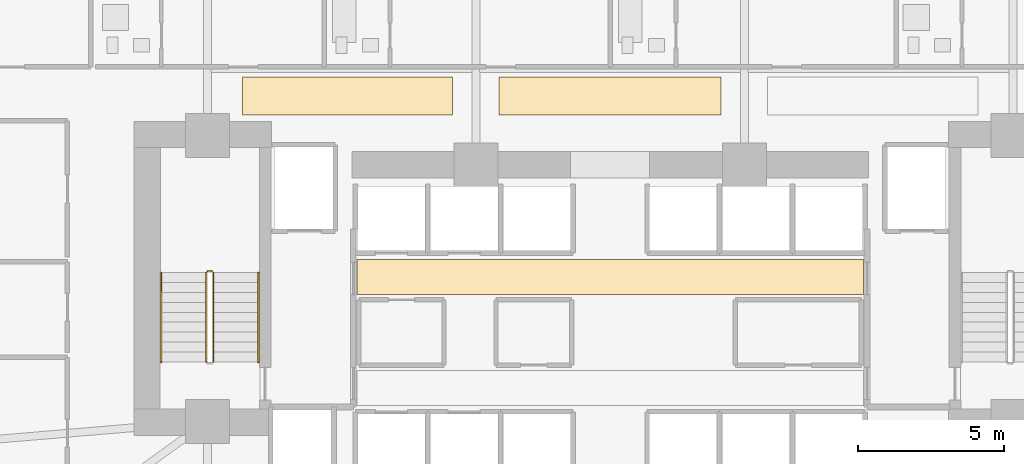
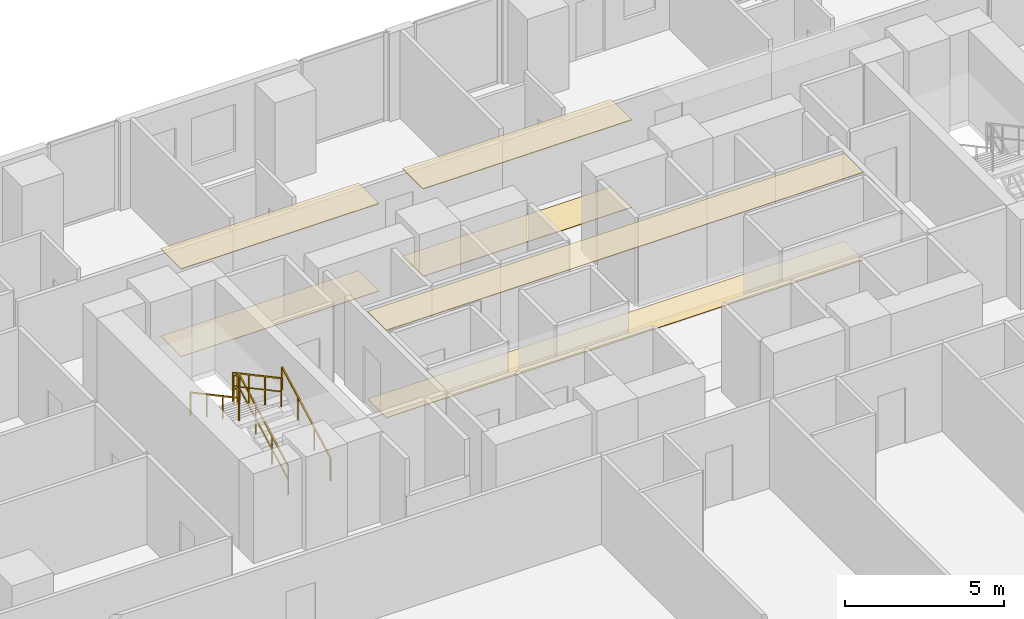
# One storey, part 27 of 30: 6 coverings, 5 railings.
"""IFC4 building model written with IfcOpenShell, lengths in metres."""

from ifc_helpers import new_model, si_unit, direction, frame, origin, origin_2d, place, context, subcontext, project, spatial, polyline, rectangle, outline, extrude, material, layer, layer_set, type_object, element, save


model = new_model("IFC4")

# Units and contexts
model_context = context("Model", 3, precision=1e-05, world=origin(), true_north=direction((0.0, 1.0)))
body_context = subcontext(model_context, "Body", "Model", "MODEL_VIEW")
ifc_project = project(units=[si_unit("LENGTHUNIT", "METRE"), si_unit("AREAUNIT", "SQUARE_METRE"), si_unit("VOLUMEUNIT", "CUBIC_METRE"), si_unit("PLANEANGLEUNIT", "RADIAN"), si_unit("MASSUNIT", "GRAM", prefix="KILO")], contexts=[model_context])

# Site, building, storey
site_placement = place(None, origin())
site = spatial("IfcSite", under=ifc_project, at=site_placement, CompositionType="ELEMENT")
building_placement = place(site_placement, origin())
building = spatial("IfcBuilding", under=site, at=building_placement, Name="Zuhayl Quay Hotel", CompositionType="ELEMENT")
storey_placement = place(building_placement, frame((0.0, 0.0, 86.0)))
storey = spatial("IfcBuildingStorey", under=building, at=storey_placement, Name="L21", CompositionType="ELEMENT", Elevation=86.0)

# Coverings
ifc_material_1 = material(Name="Acoustic Mineral-Fibre Gypsum Board")
ifc_layer_1 = layer(ifc_material_1, 0.02490234375, Name="Acoustic Mineral-Fibre Gypsum Board")
ifc_layer_set_1 = layer_set([ifc_layer_1], Name="Acoustic Mineral-Fibre Gypsum Board")
covering_type_1 = type_object("IfcCoveringType", Name="CV_CEIL_ACOUSTIC", PredefinedType="CEILING", material=ifc_layer_set_1)
covering_1_placement = place(storey_placement, frame((0.0, 0.0, 3.364990234375)))
element("IfcCovering", 1, at=covering_1_placement, inside=storey, type_object=covering_type_1, Name="L21 Suspended Acoustic Lobby Ceiling N", PredefinedType="CEILING", context=body_context, shape_type="SweptSolid", body=[
    extrude(outline(polyline([(-8.679931640625, 8.89990234375), (8.679931640625, 8.89990234375), (8.679931640625, 10.10009765625), (-8.679931640625, 10.10009765625), (-8.679931640625, 8.89990234375)])), origin(), (0.0, 0.0, 1.0), 0.02490234375),
])
covering_2_placement = place(storey_placement, frame((0.0, 0.0, 3.364990234375)))
element("IfcCovering", 2, at=covering_2_placement, inside=storey, type_object=covering_type_1, Name="L21 Guest Corridor Acoustic Ceiling CW", PredefinedType="CEILING", context=body_context, shape_type="SweptSolid", body=[
    extrude(outline(polyline([(-12.60009765625, 15.050048828125), (-5.39990234375, 15.050048828125), (-5.39990234375, 16.35009765625), (-12.60009765625, 16.35009765625), (-12.60009765625, 15.050048828125)])), origin(), (0.0, 0.0, 1.0), 0.02490234375),
])
covering_3_placement = place(storey_placement, frame((0.0, 0.0, 3.364990234375)))
element("IfcCovering", 3, at=covering_3_placement, inside=storey, type_object=covering_type_1, Name="L21 Guest Corridor Acoustic Ceiling CC", PredefinedType="CEILING", context=body_context, shape_type="SweptSolid", body=[
    extrude(outline(polyline([(-3.800048828125, 15.050048828125), (3.800048828125, 15.050048828125), (3.800048828125, 16.35009765625), (-3.800048828125, 16.35009765625), (-3.800048828125, 15.050048828125)])), origin(), (0.0, 0.0, 1.0), 0.02490234375),
])
ifc_material_2 = material(Name="Polished Limestone Terrazzo", Category="masonry")
ifc_layer_2 = layer(ifc_material_2, 0.02001953125, Name="Polished Limestone Terrazzo", Category="masonry")
ifc_layer_set_2 = layer_set([ifc_layer_2], Name="Polished Limestone Terrazzo")
covering_type_2 = type_object("IfcCoveringType", Name="CV_FLOOR_TERRAZZO", PredefinedType="FLOORING", material=ifc_layer_set_2)
covering_4_placement = place(storey_placement, origin())
element("IfcCovering", 4, at=covering_4_placement, inside=storey, type_object=covering_type_2, Name="L21 Honed Limestone Terrazzo Lobby Flooring N", PredefinedType="FLOORING", context=body_context, shape_type="SweptSolid", body=[
    extrude(outline(polyline([(-8.679931640625, 8.89990234375), (8.679931640625, 8.89990234375), (8.679931640625, 10.10009765625), (-8.679931640625, 10.10009765625), (-8.679931640625, 8.89990234375)])), origin(), (0.0, 0.0, 1.0), 0.02001953125),
])
covering_5_placement = place(storey_placement, origin())
element("IfcCovering", 5, at=covering_5_placement, inside=storey, type_object=covering_type_2, Name="L21 Guest Corridor Terrazzo Runner CW", PredefinedType="FLOORING", context=body_context, shape_type="SweptSolid", body=[
    extrude(outline(polyline([(-12.60009765625, 15.050048828125), (-5.39990234375, 15.050048828125), (-5.39990234375, 16.35009765625), (-12.60009765625, 16.35009765625), (-12.60009765625, 15.050048828125)])), origin(), (0.0, 0.0, 1.0), 0.02001953125),
])
covering_6_placement = place(storey_placement, origin())
element("IfcCovering", 6, at=covering_6_placement, inside=storey, type_object=covering_type_2, Name="L21 Guest Corridor Terrazzo Runner CC", PredefinedType="FLOORING", context=body_context, shape_type="SweptSolid", body=[
    extrude(outline(polyline([(-3.800048828125, 15.050048828125), (3.800048828125, 15.050048828125), (3.800048828125, 16.35009765625), (-3.800048828125, 16.35009765625), (-3.800048828125, 15.050048828125)])), origin(), (0.0, 0.0, 1.0), 0.02001953125),
])

# Railings
ifc_material_3 = material(Name="Steel ASTM A992 Grade 50", Category="steel")
railing_type_1 = type_object("IfcRailingType", Name="RL_GUARD_1100", PredefinedType="GUARDRAIL", material=ifc_material_3)
railing_1_placement = place(storey_placement, frame((-13.590087890625, 6.590087890625, 0.1826171875)))
element("IfcRailing", 7, at=railing_1_placement, inside=storey, type_object=railing_type_1, Name="L21 ST1 stair guard 1", PredefinedType="GUARDRAIL", context=body_context, shape_type="SweptSolid", body=[
    extrude(rectangle(XDim=0.048095703125, YDim=0.048095703125, at=origin_2d()), frame((0.0, 0.0, 1.09619140625), z_axis=(0.0, 0.881102395774, 0.472925541879), x_axis=(-1.0, 0.0, 0.0)), (0.0, 0.0, 1.0), 3.47265625),
    extrude(rectangle(XDim=0.0361328125, YDim=0.0361328125, at=origin_2d()), frame((0.0, 0.0, 0.58251953125), z_axis=(0.0, 0.881102395774, 0.472925541879), x_axis=(-1.0, 0.0, 0.0)), (0.0, 0.0, 1.0), 3.47265625),
    extrude(rectangle(XDim=0.0419921875, YDim=0.0419921875, at=origin_2d()), origin(), (0.0, 0.0, 1.0), 1.072021484375),
    extrude(rectangle(XDim=0.0419921875, YDim=0.0419921875, at=origin_2d()), frame((0.0, 1.02001953125, 0.54736328125)), (0.0, 0.0, 1.0), 1.072021484375),
    extrude(rectangle(XDim=0.0419921875, YDim=0.0419921875, at=origin_2d()), frame((0.0, 2.039794921875, 1.094970703125)), (0.0, 0.0, 1.0), 1.072021484375),
    extrude(rectangle(XDim=0.0419921875, YDim=0.0419921875, at=origin_2d()), frame((0.0, 3.059814453125, 1.642333984375)), (0.0, 0.0, 1.0), 1.072021484375),
])
railing_2_placement = place(storey_placement, frame((-13.639892578125, 9.699951171875, 1.824951171875)))
element("IfcRailing", 8, at=railing_2_placement, inside=storey, type_object=railing_type_1, Name="L21 ST1 stair guard 2", PredefinedType="GUARDRAIL", context=body_context, shape_type="SweptSolid", body=[
    extrude(rectangle(XDim=0.048095703125, YDim=0.048095703125, at=origin_2d()), frame((0.0, 0.0, 1.09619140625), z_axis=(-1.0, 0.0, 0.0), x_axis=(0.0, -1.0, 0.0)), (0.0, 0.0, 1.0), 0.150146484375),
    extrude(rectangle(XDim=0.0361328125, YDim=0.0361328125, at=origin_2d()), frame((0.0, 0.0, 0.58251953125), z_axis=(-1.0, 0.0, 0.0), x_axis=(0.0, -1.0, 0.0)), (0.0, 0.0, 1.0), 0.150146484375),
    extrude(rectangle(XDim=0.0419921875, YDim=0.0419921875, at=origin_2d()), origin(), (0.0, 0.0, 1.0), 1.072021484375),
    extrude(rectangle(XDim=0.0419921875, YDim=0.0419921875, at=origin_2d()), frame((-0.150146484375, 0.0, 0.0)), (0.0, 0.0, 1.0), 1.072021484375),
])
railing_3_placement = place(storey_placement, frame((-13.840087890625, 9.64990234375, 2.007568359375)))
element("IfcRailing", 9, at=railing_3_placement, inside=storey, type_object=railing_type_1, Name="L21 ST1 stair guard 3", PredefinedType="GUARDRAIL", context=body_context, shape_type="SweptSolid", body=[
    extrude(rectangle(XDim=0.048095703125, YDim=0.048095703125, at=origin_2d()), frame((0.0, 0.0, 1.09619140625), z_axis=(0.0, -0.881102395774, 0.472925541879), x_axis=(1.0, 0.0, 0.0)), (0.0, 0.0, 1.0), 3.47265625),
    extrude(rectangle(XDim=0.0361328125, YDim=0.0361328125, at=origin_2d()), frame((0.0, 0.0, 0.58251953125), z_axis=(0.0, -0.881102395774, 0.472925541879), x_axis=(1.0, 0.0, 0.0)), (0.0, 0.0, 1.0), 3.47265625),
    extrude(rectangle(XDim=0.0419921875, YDim=0.0419921875, at=origin_2d()), origin(), (0.0, 0.0, 1.0), 1.072021484375),
    extrude(rectangle(XDim=0.0419921875, YDim=0.0419921875, at=origin_2d()), frame((0.0, -1.02001953125, 0.54736328125)), (0.0, 0.0, 1.0), 1.072021484375),
    extrude(rectangle(XDim=0.0419921875, YDim=0.0419921875, at=origin_2d()), frame((0.0, -2.039794921875, 1.094970703125)), (0.0, 0.0, 1.0), 1.072021484375),
    extrude(rectangle(XDim=0.0419921875, YDim=0.0419921875, at=origin_2d()), frame((0.0, -3.059814453125, 1.642333984375)), (0.0, 0.0, 1.0), 1.072021484375),
])
railing_type_2 = type_object("IfcRailingType", Name="RL_HANDRAIL_920", PredefinedType="HANDRAIL", material=ifc_material_3)
railing_4_placement = place(storey_placement, frame((-12.050048828125, 6.590087890625, 0.1826171875)))
element("IfcRailing", 10, at=railing_4_placement, inside=storey, type_object=railing_type_2, Name="L21 ST1 stair handrail 1", PredefinedType="HANDRAIL", context=body_context, shape_type="SweptSolid", body=[
    extrude(rectangle(XDim=0.048095703125, YDim=0.048095703125, at=origin_2d()), frame((0.0, 0.0, 0.8759765625), z_axis=(0.0, 0.881102395774, 0.472925541879), x_axis=(-1.0, 0.0, 0.0)), (0.0, 0.0, 1.0), 3.47265625),
    extrude(rectangle(XDim=0.0419921875, YDim=0.0419921875, at=origin_2d()), origin(), (0.0, 0.0, 1.0), 0.851806640625),
    extrude(rectangle(XDim=0.0419921875, YDim=0.0419921875, at=origin_2d()), frame((0.0, 1.02001953125, 0.54736328125)), (0.0, 0.0, 1.0), 0.851806640625),
    extrude(rectangle(XDim=0.0419921875, YDim=0.0419921875, at=origin_2d()), frame((0.0, 2.039794921875, 1.094970703125)), (0.0, 0.0, 1.0), 0.851806640625),
    extrude(rectangle(XDim=0.0419921875, YDim=0.0419921875, at=origin_2d()), frame((0.0, 3.059814453125, 1.642333984375)), (0.0, 0.0, 1.0), 0.851806640625),
])
railing_5_placement = place(storey_placement, frame((-15.3798828125, 9.64990234375, 2.007568359375)))
element("IfcRailing", 11, at=railing_5_placement, inside=storey, type_object=railing_type_2, Name="L21 ST1 stair handrail 2", PredefinedType="HANDRAIL", context=body_context, shape_type="SweptSolid", body=[
    extrude(rectangle(XDim=0.048095703125, YDim=0.048095703125, at=origin_2d()), frame((0.0, 0.0, 0.8759765625), z_axis=(0.0, -0.881102395774, 0.472925541879), x_axis=(1.0, 0.0, 0.0)), (0.0, 0.0, 1.0), 3.47265625),
    extrude(rectangle(XDim=0.0419921875, YDim=0.0419921875, at=origin_2d()), origin(), (0.0, 0.0, 1.0), 0.851806640625),
    extrude(rectangle(XDim=0.0419921875, YDim=0.0419921875, at=origin_2d()), frame((0.0, -1.02001953125, 0.54736328125)), (0.0, 0.0, 1.0), 0.851806640625),
    extrude(rectangle(XDim=0.0419921875, YDim=0.0419921875, at=origin_2d()), frame((0.0, -2.039794921875, 1.094970703125)), (0.0, 0.0, 1.0), 0.851806640625),
    extrude(rectangle(XDim=0.0419921875, YDim=0.0419921875, at=origin_2d()), frame((0.0, -3.059814453125, 1.642333984375)), (0.0, 0.0, 1.0), 0.851806640625),
])

save(model, "model.ifc")
